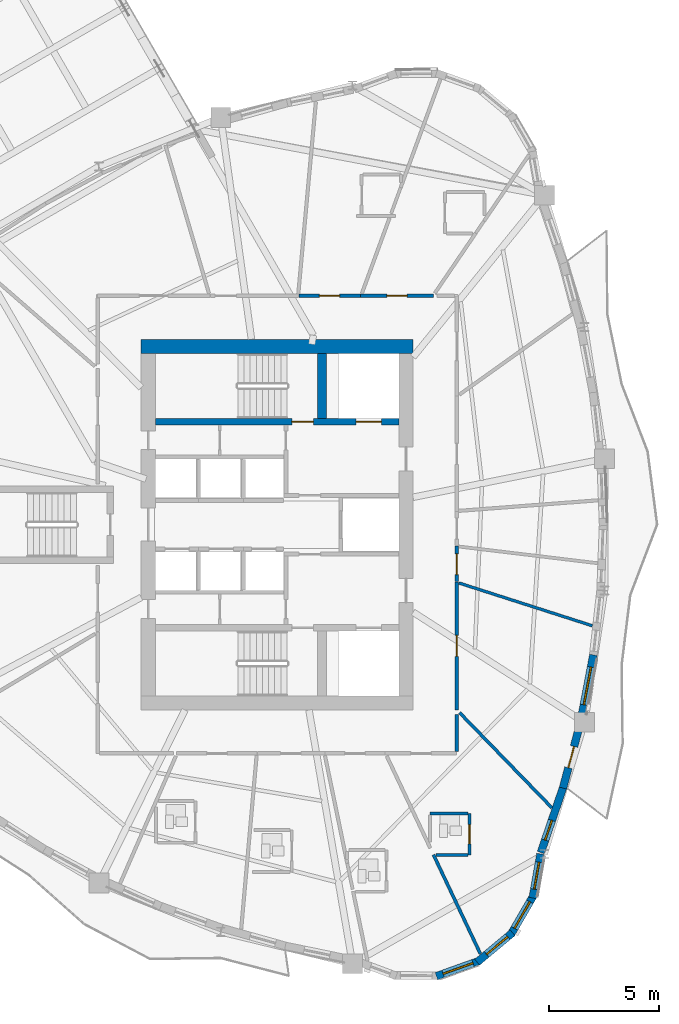
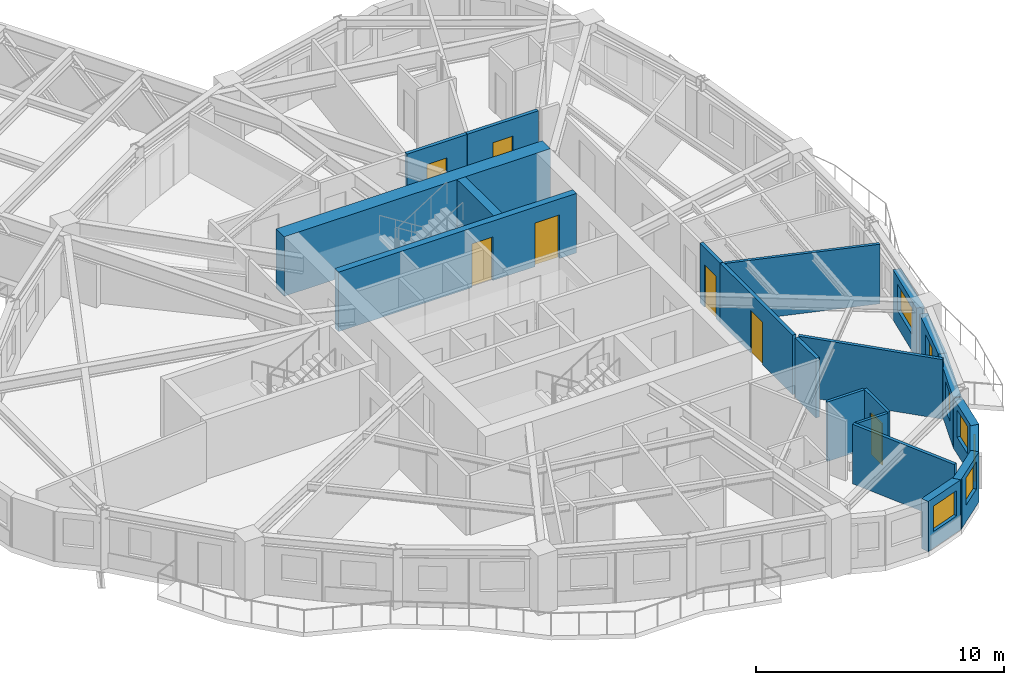
# One storey, part 9 of 16: 21 walls, 8 doors, 6 windows, 14 openings.
"""IFC4 building model written with IfcOpenShell, lengths in metres."""

from ifc_helpers import new_model, si_unit, direction, frame, frame_2d, origin, place, context, subcontext, project, spatial, rectangle, extrude, source, transform, mapped, material, layer, layer_set, type_object, element, fill, save


model = new_model("IFC4")

# Units and contexts
model_context = context("Model", 3, precision=1e-05, world=origin(), true_north=direction((0.0, 1.0)))
body_context = subcontext(model_context, "Body", "Model", "MODEL_VIEW")
ifc_project = project(units=[si_unit("LENGTHUNIT", "METRE"), si_unit("AREAUNIT", "SQUARE_METRE"), si_unit("VOLUMEUNIT", "CUBIC_METRE"), si_unit("PLANEANGLEUNIT", "RADIAN"), si_unit("MASSUNIT", "GRAM", prefix="KILO")], contexts=[model_context])

# Site, building, storey
site_placement = place(None, origin())
site = spatial("IfcSite", under=ifc_project, at=site_placement, CompositionType="ELEMENT")
building_placement = place(site_placement, origin())
building = spatial("IfcBuilding", under=site, at=building_placement, Name="Qafzar Sky-Pleat Residences", CompositionType="ELEMENT")
storey_placement = place(building_placement, frame((0.0, 0.0, 80.0)))
storey = spatial("IfcBuildingStorey", under=building, at=storey_placement, Name="L23", CompositionType="ELEMENT", Elevation=80.0)

# Wall, opening, door
ifc_material_1 = material(Name="Acoustic gypsum plasterboard partition", Category="gypsum")
ifc_layer_1 = layer(ifc_material_1, 0.159912109375)
ifc_layer_set_1 = layer_set([ifc_layer_1], Name="Acoustic gypsum plasterboard partition")
wall_type_1 = type_object("IfcWallType", Name="PART-COR-160", PredefinedType="PARTITIONING", material=ifc_layer_set_1)
wall_1_placement = place(storey_placement, frame((38.530029296875, 23.39208984375, 0.0), z_axis=(0.0, 0.0, 1.0), x_axis=(0.0, -1.0, 0.0)))
wall_1 = element("IfcWall", 1, at=wall_1_placement, inside=storey, type_object=wall_type_1, Name="L23 Partition Wall PART-L23-PW-002", PredefinedType="PARTITIONING", context=body_context, shape_type="SweptSolid", body=[
    extrude(rectangle(XDim=5.843017578125, YDim=0.159912109375, at=frame_2d((2.92138671875, 0.0))), origin(), (0.0, 0.0, 1.0), 2.93505859375),
])
opening_1_placement = place(wall_1_placement, frame((2.4384765625, 0.0, 0.0)))
opening_1 = element("IfcOpeningElement", 2, at=opening_1_placement, cuts=wall_1, Name="Opening ID-06", PredefinedType="OPENING", context=body_context, shape_type="SweptSolid", body=[
    extrude(rectangle(XDim=0.9599609375, YDim=2.10009765625, at=frame_2d((0.47998046875, 1.050048828125))), frame((0.0, 0.08984375, 0.0), z_axis=(0.0, -1.0, 0.0), x_axis=(1.0, 0.0, 0.0)), (0.0, 0.0, 1.0), 0.179931640625),
])
ifc_material_2 = material(Name="Timber-faced fire door", Category="wood")
door_type_1 = type_object("IfcDoorType", Name="DR-STD-960", OperationType="NOTDEFINED", PredefinedType="DOOR", material=ifc_material_2)
shared_shape_1 = source(origin(), body_context, "Body", "SweptSolid", [
    extrude(rectangle(XDim=0.9599609375, YDim=2.10009765625, at=frame_2d((0.47998046875, 1.050048828125))), frame((0.0, 0.02490234375, 0.0), z_axis=(0.0, -1.0, 0.0), x_axis=(1.0, 0.0, 0.0)), (0.0, 0.0, 1.0), 0.050048828125),
])
door_1_placement = place(opening_1_placement, origin())
door_1 = element("IfcDoor", 3, at=door_1_placement, inside=storey, type_object=door_type_1, Name="L23 Postdoctoral Admin Office Door", OperationType="SINGLE_SWING_RIGHT", OverallHeight=2.10009765625, OverallWidth=0.9599609375, PredefinedType="DOOR", context=body_context, shape_type="MappedRepresentation", body=[
    mapped(shared_shape_1, transform((0.0, 0.0, 0.0), x_axis=(1.0, 0.0, 0.0), y_axis=(0.0, 1.0, 0.0), z_axis=(0.0, 0.0, 1.0), scale=1.0)),
])
fill(opening_1, door_1)

wall_2_placement = place(storey_placement, frame((34.156005859375, 36.429931640625, 0.0), z_axis=(0.0, 0.0, 1.0), x_axis=(1.0, 0.0, 0.0)))
wall_2 = element("IfcWall", 4, at=wall_2_placement, inside=storey, type_object=wall_type_1, Name="L23 Partition Wall PART-L23-PW-010", PredefinedType="PARTITIONING", context=body_context, shape_type="SweptSolid", body=[
    extrude(rectangle(XDim=3.31591796875, YDim=0.159912109375, at=frame_2d((1.657958984375, 0.0))), origin(), (0.0, 0.0, 1.0), 2.93505859375),
])
opening_2_placement = place(wall_2_placement, frame((1.197021484375, 0.0, 0.0)))
opening_2 = element("IfcOpeningElement", 5, at=opening_2_placement, cuts=wall_2, Name="Opening ID-04", PredefinedType="OPENING", context=body_context, shape_type="SweptSolid", body=[
    extrude(rectangle(XDim=0.919921875, YDim=2.10009765625, at=frame_2d((0.4599609375, 1.050048828125))), frame((0.0, 0.08984375, 0.0), z_axis=(0.0, -1.0, 0.0), x_axis=(1.0, 0.0, 0.0)), (0.0, 0.0, 1.0), 0.179931640625),
])
door_type_2 = type_object("IfcDoorType", Name="DR-BED-920", OperationType="NOTDEFINED", PredefinedType="DOOR", material=ifc_material_2)
shared_shape_2 = source(origin(), body_context, "Body", "SweptSolid", [
    extrude(rectangle(XDim=0.919921875, YDim=2.10009765625, at=frame_2d((0.4599609375, 1.050048828125))), frame((0.0, 0.02490234375, 0.0), z_axis=(0.0, -1.0, 0.0), x_axis=(1.0, 0.0, 0.0)), (0.0, 0.0, 1.0), 0.050048828125),
])
door_2_placement = place(opening_2_placement, origin())
door_2 = element("IfcDoor", 6, at=door_2_placement, inside=storey, type_object=door_type_2, Name="L23 Co-Living Bedroom 5 Door", OperationType="SINGLE_SWING_LEFT", OverallHeight=2.10009765625, OverallWidth=0.919921875, PredefinedType="DOOR", context=body_context, shape_type="MappedRepresentation", body=[
    mapped(shared_shape_2, transform((0.0, 0.0, 0.0), x_axis=(1.0, 0.0, 0.0), y_axis=(0.0, 1.0, 0.0), z_axis=(0.0, 0.0, 1.0), scale=1.0)),
])
fill(opening_2, door_2)

wall_3_placement = place(storey_placement, frame((31.3349609375, 36.429931640625, 0.0), z_axis=(0.0, 0.0, 1.0), x_axis=(1.0, 0.0, 0.0)))
wall_3 = element("IfcWall", 7, at=wall_3_placement, inside=storey, type_object=wall_type_1, Name="L23 Partition Wall PART-L23-PW-015", PredefinedType="PARTITIONING", context=body_context, shape_type="SweptSolid", body=[
    extrude(rectangle(XDim=2.80615234375, YDim=0.159912109375, at=frame_2d((1.403076171875, 0.0))), origin(), (0.0, 0.0, 1.0), 2.93505859375),
])
opening_3_placement = place(wall_3_placement, frame((0.943603515625, 0.0, 0.0)))
opening_3 = element("IfcOpeningElement", 8, at=opening_3_placement, cuts=wall_3, Name="Opening ID-04", PredefinedType="OPENING", context=body_context, shape_type="SweptSolid", body=[
    extrude(rectangle(XDim=0.919921875, YDim=2.10009765625, at=frame_2d((0.4599609375, 1.050048828125))), frame((0.0, 0.08984375, 0.0), z_axis=(0.0, -1.0, 0.0), x_axis=(1.0, 0.0, 0.0)), (0.0, 0.0, 1.0), 0.179931640625),
])
door_3_placement = place(opening_3_placement, origin())
door_3 = element("IfcDoor", 9, at=door_3_placement, inside=storey, type_object=door_type_2, Name="L23 Co-Living Bedroom 6 Door", OperationType="SINGLE_SWING_LEFT", OverallHeight=2.10009765625, OverallWidth=0.919921875, PredefinedType="DOOR", context=body_context, shape_type="MappedRepresentation", body=[
    mapped(shared_shape_2, transform((0.0, 0.0, 0.0), x_axis=(1.0, 0.0, 0.0), y_axis=(0.0, 1.0, 0.0), z_axis=(0.0, 0.0, 1.0), scale=1.0)),
])
fill(opening_3, door_3)

wall_4_placement = place(storey_placement, frame((38.530029296875, 25.031982421875, 0.0), z_axis=(0.0, 0.0, 1.0), x_axis=(0.0, -1.0, 0.0)))
wall_4 = element("IfcWall", 10, at=wall_4_placement, inside=storey, type_object=wall_type_1, Name="L23 Partition Wall PART-L23-PW-023", PredefinedType="PARTITIONING", context=body_context, shape_type="SweptSolid", body=[
    extrude(rectangle(XDim=1.625, YDim=0.159912109375, at=frame_2d((0.8125, 0.0))), origin(), (0.0, 0.0, 1.0), 2.93505859375),
])
opening_4_placement = place(wall_4_placement, frame((0.360595703125, 0.0, 0.0)))
opening_4 = element("IfcOpeningElement", 11, at=opening_4_placement, cuts=wall_4, Name="Opening ID-08", PredefinedType="OPENING", context=body_context, shape_type="SweptSolid", body=[
    extrude(rectangle(XDim=0.949951171875, YDim=2.10009765625, at=frame_2d((0.47509765625, 1.050048828125))), frame((0.0, 0.08984375, 0.0), z_axis=(0.0, -1.0, 0.0), x_axis=(1.0, 0.0, 0.0)), (0.0, 0.0, 1.0), 0.179931640625),
])
door_type_3 = type_object("IfcDoorType", Name="DR-AWC-950", OperationType="NOTDEFINED", PredefinedType="DOOR", material=ifc_material_2)
shared_shape_3 = source(origin(), body_context, "Body", "SweptSolid", [
    extrude(rectangle(XDim=0.949951171875, YDim=2.10009765625, at=frame_2d((0.47509765625, 1.050048828125))), frame((0.0, 0.02490234375, 0.0), z_axis=(0.0, -1.0, 0.0), x_axis=(1.0, 0.0, 0.0)), (0.0, 0.0, 1.0), 0.050048828125),
])
door_4_placement = place(opening_4_placement, origin())
door_4 = element("IfcDoor", 12, at=door_4_placement, inside=storey, type_object=door_type_3, Name="L23 Accessible Shared Washroom Door", OperationType="SINGLE_SWING_LEFT", OverallHeight=2.10009765625, OverallWidth=0.949951171875, PredefinedType="DOOR", context=body_context, shape_type="MappedRepresentation", body=[
    mapped(shared_shape_3, transform((0.0, 0.0, 0.0), x_axis=(1.0, 0.0, 0.0), y_axis=(0.0, 1.0, 0.0), z_axis=(0.0, 0.0, 1.0), scale=1.0)),
])
fill(opening_4, door_4)

# Walls
wall_5_placement = place(storey_placement, frame((38.530029296875, 15.657958984375, 0.0), z_axis=(0.0, 0.0, 1.0), x_axis=(0.0, 1.0, 0.0)))
element("IfcWall", 13, at=wall_5_placement, inside=storey, type_object=wall_type_1, Name="L23 Partition Wall PART-L23-PW-049", PredefinedType="PARTITIONING", context=body_context, shape_type="SweptSolid", body=[
    extrude(rectangle(XDim=1.681640625, YDim=0.159912109375, at=frame_2d((0.8408203125, 0.0))), origin(), (0.0, 0.0, 1.0), 2.93505859375),
])
ifc_layer_2 = layer(ifc_material_1, 0.14501953125)
ifc_layer_set_2 = layer_set([ifc_layer_2], Name="Acoustic gypsum plasterboard partition")
wall_type_2 = type_object("IfcWallType", Name="PART-UNIT-145", PredefinedType="PARTITIONING", material=ifc_layer_set_2)
wall_6_placement = place(storey_placement, frame((38.66748046875, 17.42919921875, 0.0), z_axis=(0.0, 0.0, 1.0), x_axis=(0.696417222112, -0.717637131666, 0.0)))
element("IfcWall", 14, at=wall_6_placement, inside=storey, type_object=wall_type_2, Name="L23 Partition Wall PART-L23-PW-036", PredefinedType="PARTITIONING", context=body_context, shape_type="SweptSolid", body=[
    extrude(rectangle(XDim=6.040283203125, YDim=0.14501953125, at=frame_2d((3.02001953125, 0.0))), origin(), (0.0, 0.0, 1.0), 2.93505859375),
])
wall_7_placement = place(storey_placement, frame((37.47607421875, 10.9541015625, 0.0), z_axis=(0.0, 0.0, 1.0), x_axis=(0.428094746621, -0.903733859007, 0.0)))
element("IfcWall", 15, at=wall_7_placement, inside=storey, type_object=wall_type_2, Name="L23 Partition Wall PART-L23-PW-039", PredefinedType="PARTITIONING", context=body_context, shape_type="SweptSolid", body=[
    extrude(rectangle(XDim=4.996337890625, YDim=0.14501953125, at=frame_2d((2.498046875, 0.0))), origin(), (0.0, 0.0, 1.0), 2.93505859375),
])

# Wall, opening, door
ifc_material_3 = material(Name="Moisture-resistant gypsum partition", Category="gypsum")
ifc_layer_3 = layer(ifc_material_3, 0.1298828125)
ifc_layer_set_3 = layer_set([ifc_layer_3], Name="Moisture-resistant gypsum partition")
wall_type_3 = type_object("IfcWallType", Name="PART-WET-130", PredefinedType="PARTITIONING", material=ifc_layer_set_3)
wall_8_placement = place(storey_placement, frame((39.116943359375, 10.93896484375, 0.0), z_axis=(0.0, 0.0, 1.0), x_axis=(0.0, 1.0, 0.0)))
wall_8 = element("IfcWall", 16, at=wall_8_placement, inside=storey, type_object=wall_type_3, Name="L23 Partition Wall PART-L23-PW-020", PredefinedType="PARTITIONING", context=body_context, shape_type="SweptSolid", body=[
    extrude(rectangle(XDim=1.900146484375, YDim=0.1298828125, at=frame_2d((0.9501953125, 0.0))), origin(), (0.0, 0.0, 1.0), 2.93505859375),
])
opening_5_placement = place(wall_8_placement, frame((0.510009765625, 0.0, 0.0)))
opening_5 = element("IfcOpeningElement", 17, at=opening_5_placement, cuts=wall_8, Name="Opening ID-07", PredefinedType="OPENING", context=body_context, shape_type="SweptSolid", body=[
    extrude(rectangle(XDim=0.8798828125, YDim=2.050048828125, at=frame_2d((0.43994140625, 1.02490234375))), frame((0.0, 0.074951171875, 0.0), z_axis=(0.0, -1.0, 0.0), x_axis=(1.0, 0.0, 0.0)), (0.0, 0.0, 1.0), 0.14990234375),
])
door_type_4 = type_object("IfcDoorType", Name="DR-WET-880", OperationType="NOTDEFINED", PredefinedType="DOOR", material=ifc_material_2)
shared_shape_4 = source(origin(), body_context, "Body", "SweptSolid", [
    extrude(rectangle(XDim=0.8798828125, YDim=2.050048828125, at=frame_2d((0.43994140625, 1.02490234375))), frame((0.0, 0.02490234375, 0.0), z_axis=(0.0, -1.0, 0.0), x_axis=(1.0, 0.0, 0.0)), (0.0, 0.0, 1.0), 0.050048828125),
])
door_5_placement = place(opening_5_placement, origin())
door_5 = element("IfcDoor", 18, at=door_5_placement, inside=storey, type_object=door_type_4, Name="L23 En-suite Bathroom 4 Door", OperationType="SINGLE_SWING_RIGHT", OverallHeight=2.050048828125, OverallWidth=0.8798828125, PredefinedType="DOOR", context=body_context, shape_type="MappedRepresentation", body=[
    mapped(shared_shape_4, transform((0.0, 0.0, 0.0), x_axis=(1.0, 0.0, 0.0), y_axis=(0.0, 1.0, 0.0), z_axis=(0.0, 0.0, 1.0), scale=1.0)),
])
fill(opening_5, door_5)

# Walls
wall_9_placement = place(storey_placement, frame((38.637451171875, 23.341552734375, 0.0), z_axis=(0.0, 0.0, 1.0), x_axis=(0.952253923936, -0.305307163933, 0.0)))
element("IfcWall", 19, at=wall_9_placement, inside=storey, type_object=wall_type_3, Name="L23 Partition Wall PART-L23-PW-031", PredefinedType="PARTITIONING", context=body_context, shape_type="SweptSolid", body=[
    extrude(rectangle(XDim=6.383544921875, YDim=0.1298828125, at=frame_2d((3.19189453125, 0.0))), origin(), (0.0, 0.0, 1.0), 2.93505859375),
])
wall_10_placement = place(storey_placement, frame((37.31689453125, 12.839111328125, 0.0), z_axis=(0.0, 0.0, 1.0), x_axis=(1.0, 0.0, 0.0)))
element("IfcWall", 20, at=wall_10_placement, inside=storey, type_object=wall_type_3, Name="L23 Partition Wall PART-L23-PW-055", PredefinedType="PARTITIONING", context=body_context, shape_type="SweptSolid", body=[
    extrude(rectangle(XDim=1.72705078125, YDim=0.1298828125, at=frame_2d((0.863525390625, 0.0))), origin(), (0.0, 0.0, 1.0), 2.93505859375),
])
wall_11_placement = place(storey_placement, frame((37.60205078125, 10.93896484375, 0.0), z_axis=(0.0, 0.0, 1.0), x_axis=(1.0, 0.0, 0.0)))
element("IfcWall", 21, at=wall_11_placement, inside=storey, type_object=wall_type_3, Name="L23 Partition Wall PART-L23-PW-059", PredefinedType="PARTITIONING", context=body_context, shape_type="SweptSolid", body=[
    extrude(rectangle(XDim=1.44189453125, YDim=0.1298828125, at=frame_2d((0.720947265625, 0.0))), origin(), (0.0, 0.0, 1.0), 2.93505859375),
])

# Wall, opening, window
ifc_material_4 = material(Name="Precast concrete C40/50 with honed Riyadh limestone", Category="concrete")
ifc_layer_4 = layer(ifc_material_4, 0.35009765625)
ifc_layer_set_4 = layer_set([ifc_layer_4], Name="Precast concrete C40/50 with honed Riyadh limestone")
wall_type_4 = type_object("IfcWallType", Name="WALL-EXT-350", PredefinedType="SOLIDWALL", material=ifc_layer_set_4)
wall_12_placement = place(storey_placement, frame((37.6103515625, 5.4150390625, 0.0), z_axis=(0.0, 0.0, 1.0), x_axis=(0.941473186867, 0.33708787936, 0.0)))
wall_12 = element("IfcWall", 22, at=wall_12_placement, inside=storey, type_object=wall_type_4, Name="L23 Limestone Facade Wall 19", PredefinedType="SOLIDWALL", context=body_context, shape_type="SweptSolid", body=[
    extrude(rectangle(XDim=2.098876953125, YDim=0.35009765625, at=frame_2d((1.04931640625, 0.0))), origin(), (0.0, 0.0, 1.0), 2.465087890625),
])
opening_6_placement = place(wall_12_placement, frame((0.324462890625, 0.0, 0.820068359375)))
opening_6 = element("IfcOpeningElement", 23, at=opening_6_placement, cuts=wall_12, Name="Opening WN-15", PredefinedType="OPENING", context=body_context, shape_type="SweptSolid", body=[
    extrude(rectangle(XDim=1.449951171875, YDim=1.25, at=frame_2d((0.72509765625, 0.625))), frame((0.0, 0.18505859375, 0.0), z_axis=(0.0, -1.0, 0.0), x_axis=(1.0, 0.0, 0.0)), (0.0, 0.0, 1.0), 0.3701171875),
])
ifc_material_5 = material(Name="Solar-control low-E glass in bronze aluminium frame", Category="glass")
window_type_1 = type_object("IfcWindowType", Name="WIN-15", PartitioningType="SINGLE_PANEL", PredefinedType="WINDOW", material=ifc_material_5)
shared_shape_5 = source(origin(), body_context, "Body", "SweptSolid", [
    extrude(rectangle(XDim=1.449951171875, YDim=1.25, at=frame_2d((0.72509765625, 0.625))), frame((0.0, 0.030029296875, 0.0), z_axis=(0.0, -1.0, 0.0), x_axis=(1.0, 0.0, 0.0)), (0.0, 0.0, 1.0), 0.06005859375),
])
window_1_placement = place(opening_6_placement, origin())
window_1 = element("IfcWindow", 24, at=window_1_placement, inside=storey, type_object=window_type_1, Name="L23 Punched Facade Window 19", OverallHeight=1.25, OverallWidth=1.449951171875, PartitioningType="SINGLE_PANEL", PredefinedType="WINDOW", context=body_context, shape_type="MappedRepresentation", body=[
    mapped(shared_shape_5, transform((0.0, 0.0, 0.0), x_axis=(1.0, 0.0, 0.0), y_axis=(0.0, 1.0, 0.0), z_axis=(0.0, 0.0, 1.0), scale=1.0)),
])
fill(opening_6, window_1)

wall_13_placement = place(storey_placement, frame((39.468505859375, 6.05517578125, 0.0), z_axis=(0.0, 0.0, 1.0), x_axis=(0.768497696041, 0.639852554249, 0.0)))
wall_13 = element("IfcWall", 25, at=wall_13_placement, inside=storey, type_object=wall_type_4, Name="L23 Limestone Facade Wall 20", PredefinedType="SOLIDWALL", context=body_context, shape_type="SweptSolid", body=[
    extrude(rectangle(XDim=2.098876953125, YDim=0.35009765625, at=frame_2d((1.04931640625, 0.0))), origin(), (0.0, 0.0, 1.0), 2.465087890625),
])
opening_7_placement = place(wall_13_placement, frame((0.558837890625, 0.0, 0.820068359375)))
opening_7 = element("IfcOpeningElement", 26, at=opening_7_placement, cuts=wall_13, Name="Opening WN-11", PredefinedType="OPENING", context=body_context, shape_type="SweptSolid", body=[
    extrude(rectangle(XDim=1.25, YDim=1.35009765625, at=frame_2d((0.625, 0.675048828125))), frame((0.0, 0.18505859375, 0.0), z_axis=(0.0, -1.0, 0.0), x_axis=(1.0, 0.0, 0.0)), (0.0, 0.0, 1.0), 0.3701171875),
])
window_type_2 = type_object("IfcWindowType", Name="WIN-11", PartitioningType="SINGLE_PANEL", PredefinedType="WINDOW", material=ifc_material_5)
shared_shape_6 = source(origin(), body_context, "Body", "SweptSolid", [
    extrude(rectangle(XDim=1.25, YDim=1.35009765625, at=frame_2d((0.625, 0.675048828125))), frame((0.0, 0.030029296875, 0.0), z_axis=(0.0, -1.0, 0.0), x_axis=(1.0, 0.0, 0.0)), (0.0, 0.0, 1.0), 0.06005859375),
])
window_2_placement = place(opening_7_placement, origin())
window_2 = element("IfcWindow", 27, at=window_2_placement, inside=storey, type_object=window_type_2, Name="L23 Punched Facade Window 20", OverallHeight=1.35009765625, OverallWidth=1.25, PartitioningType="SINGLE_PANEL", PredefinedType="WINDOW", context=body_context, shape_type="MappedRepresentation", body=[
    mapped(shared_shape_6, transform((0.0, 0.0, 0.0), x_axis=(1.0, 0.0, 0.0), y_axis=(0.0, 1.0, 0.0), z_axis=(0.0, 0.0, 1.0), scale=1.0)),
])
fill(opening_7, window_2)

wall_14_placement = place(storey_placement, frame((40.993896484375, 7.29443359375, 0.0), z_axis=(0.0, 0.0, 1.0), x_axis=(0.501902596059, 0.864924149315, 0.0)))
wall_14 = element("IfcWall", 28, at=wall_14_placement, inside=storey, type_object=wall_type_4, Name="L23 Limestone Facade Wall 21", PredefinedType="SOLIDWALL", context=body_context, shape_type="SweptSolid", body=[
    extrude(rectangle(XDim=2.098876953125, YDim=0.35009765625, at=frame_2d((1.04931640625, 0.0))), origin(), (0.0, 0.0, 1.0), 2.465087890625),
])
opening_8_placement = place(wall_14_placement, frame((0.349609375, 0.0, 0.820068359375)))
opening_8 = element("IfcOpeningElement", 29, at=opening_8_placement, cuts=wall_14, Name="Opening WN-10", PredefinedType="OPENING", context=body_context, shape_type="SweptSolid", body=[
    extrude(rectangle(XDim=1.39990234375, YDim=1.35009765625, at=frame_2d((0.699951171875, 0.675048828125))), frame((0.0, 0.18505859375, 0.0), z_axis=(0.0, -1.0, 0.0), x_axis=(1.0, 0.0, 0.0)), (0.0, 0.0, 1.0), 0.3701171875),
])
window_type_3 = type_object("IfcWindowType", Name="WIN-10", PartitioningType="SINGLE_PANEL", PredefinedType="WINDOW", material=ifc_material_5)
shared_shape_7 = source(origin(), body_context, "Body", "SweptSolid", [
    extrude(rectangle(XDim=1.39990234375, YDim=1.35009765625, at=frame_2d((0.699951171875, 0.675048828125))), frame((0.0, 0.030029296875, 0.0), z_axis=(0.0, -1.0, 0.0), x_axis=(1.0, 0.0, 0.0)), (0.0, 0.0, 1.0), 0.06005859375),
])
window_3_placement = place(opening_8_placement, origin())
window_3 = element("IfcWindow", 30, at=window_3_placement, inside=storey, type_object=window_type_3, Name="L23 Punched Facade Window 21", OverallHeight=1.35009765625, OverallWidth=1.39990234375, PartitioningType="SINGLE_PANEL", PredefinedType="WINDOW", context=body_context, shape_type="MappedRepresentation", body=[
    mapped(shared_shape_7, transform((0.0, 0.0, 0.0), x_axis=(1.0, 0.0, 0.0), y_axis=(0.0, 1.0, 0.0), z_axis=(0.0, 0.0, 1.0), scale=1.0)),
])
fill(opening_8, window_3)

wall_15_placement = place(storey_placement, frame((42.000732421875, 8.982177734375, 0.0), z_axis=(0.0, 0.0, 1.0), x_axis=(0.174419977077, 0.984671352075, 0.0)))
wall_15 = element("IfcWall", 31, at=wall_15_placement, inside=storey, type_object=wall_type_4, Name="L23 Limestone Facade Wall 22", PredefinedType="SOLIDWALL", context=body_context, shape_type="SweptSolid", body=[
    extrude(rectangle(XDim=2.040771484375, YDim=0.35009765625, at=frame_2d((1.0205078125, 0.0))), origin(), (0.0, 0.0, 1.0), 2.465087890625),
])
opening_9_placement = place(wall_15_placement, frame((0.405517578125, 0.0, 0.820068359375)))
opening_9 = element("IfcOpeningElement", 32, at=opening_9_placement, cuts=wall_15, Name="Opening WN-11", PredefinedType="OPENING", context=body_context, shape_type="SweptSolid", body=[
    extrude(rectangle(XDim=1.25, YDim=1.35009765625, at=frame_2d((0.625, 0.675048828125))), frame((0.0, 0.18505859375, 0.0), z_axis=(0.0, -1.0, 0.0), x_axis=(1.0, 0.0, 0.0)), (0.0, 0.0, 1.0), 0.3701171875),
])
window_4_placement = place(opening_9_placement, origin())
window_4 = element("IfcWindow", 33, at=window_4_placement, inside=storey, type_object=window_type_2, Name="L23 Punched Facade Window 22", OverallHeight=1.35009765625, OverallWidth=1.25, PartitioningType="SINGLE_PANEL", PredefinedType="WINDOW", context=body_context, shape_type="MappedRepresentation", body=[
    mapped(shared_shape_6, transform((0.0, 0.0, 0.0), x_axis=(1.0, 0.0, 0.0), y_axis=(0.0, 1.0, 0.0), z_axis=(0.0, 0.0, 1.0), scale=1.0)),
])
fill(opening_9, window_4)

wall_16_placement = place(storey_placement, frame((42.373291015625, 11.056640625, 0.0), z_axis=(0.0, 0.0, 1.0), x_axis=(0.323628226775, 0.946184321808, 0.0)))
wall_16 = element("IfcWall", 34, at=wall_16_placement, inside=storey, type_object=wall_type_4, Name="L23 Limestone Facade Wall 23", PredefinedType="SOLIDWALL", context=body_context, shape_type="SweptSolid", body=[
    extrude(rectangle(XDim=3.192626953125, YDim=0.35009765625, at=frame_2d((1.59619140625, 0.0))), origin(), (0.0, 0.0, 1.0), 2.465087890625),
])
opening_10_placement = place(wall_16_placement, frame((0.5947265625, 0.0, 0.820068359375)))
opening_10 = element("IfcOpeningElement", 35, at=opening_10_placement, cuts=wall_16, Name="Opening WN-12", PredefinedType="OPENING", context=body_context, shape_type="SweptSolid", body=[
    extrude(rectangle(XDim=0.949951171875, YDim=1.35009765625, at=frame_2d((0.47509765625, 0.675048828125))), frame((0.0, 0.18505859375, 0.0), z_axis=(0.0, -1.0, 0.0), x_axis=(1.0, 0.0, 0.0)), (0.0, 0.0, 1.0), 0.3701171875),
])
window_type_4 = type_object("IfcWindowType", Name="WIN-12", PartitioningType="SINGLE_PANEL", PredefinedType="WINDOW", material=ifc_material_5)
shared_shape_8 = source(origin(), body_context, "Body", "SweptSolid", [
    extrude(rectangle(XDim=0.949951171875, YDim=1.35009765625, at=frame_2d((0.47509765625, 0.675048828125))), frame((0.0, 0.030029296875, 0.0), z_axis=(0.0, -1.0, 0.0), x_axis=(1.0, 0.0, 0.0)), (0.0, 0.0, 1.0), 0.06005859375),
])
window_5_placement = place(opening_10_placement, origin())
window_5 = element("IfcWindow", 36, at=window_5_placement, inside=storey, type_object=window_type_4, Name="L23 Punched Facade Window 23", OverallHeight=1.35009765625, OverallWidth=0.949951171875, PartitioningType="SINGLE_PANEL", PredefinedType="WINDOW", context=body_context, shape_type="MappedRepresentation", body=[
    mapped(shared_shape_8, transform((0.0, 0.0, 0.0), x_axis=(1.0, 0.0, 0.0), y_axis=(0.0, 1.0, 0.0), z_axis=(0.0, 0.0, 1.0), scale=1.0)),
])
fill(opening_10, window_5)

# Wall, opening, door
wall_17_placement = place(storey_placement, frame((43.380859375, 13.9931640625, 0.0), z_axis=(0.0, 0.0, 1.0), x_axis=(0.257079998736, 0.966390125286, 0.0)))
wall_17 = element("IfcWall", 37, at=wall_17_placement, inside=storey, type_object=wall_type_4, Name="L23 Limestone Facade Wall 24", PredefinedType="SOLIDWALL", context=body_context, shape_type="SweptSolid", body=[
    extrude(rectangle(XDim=2.921142578125, YDim=0.35009765625, at=frame_2d((1.46044921875, 0.0))), origin(), (0.0, 0.0, 1.0), 2.465087890625),
])
opening_11_placement = place(wall_17_placement, frame((0.960693359375, 0.0, 0.0)))
opening_11 = element("IfcOpeningElement", 38, at=opening_11_placement, cuts=wall_17, Name="Opening ED-05", PredefinedType="OPENING", context=body_context, shape_type="SweptSolid", body=[
    extrude(rectangle(XDim=1.0, YDim=2.10009765625, at=frame_2d((0.5, 1.050048828125))), frame((0.0, 0.18505859375, 0.0), z_axis=(0.0, -1.0, 0.0), x_axis=(1.0, 0.0, 0.0)), (0.0, 0.0, 1.0), 0.3701171875),
])
ifc_material_6 = material(Name="Glazed bronze aluminium door", Category="aluminium")
door_type_5 = type_object("IfcDoorType", Name="DR-BAL-1000", OperationType="NOTDEFINED", PredefinedType="DOOR", material=ifc_material_6)
shared_shape_9 = source(origin(), body_context, "Body", "SweptSolid", [
    extrude(rectangle(XDim=1.0, YDim=2.10009765625, at=frame_2d((0.5, 1.050048828125))), frame((0.0, 0.02490234375, 0.0), z_axis=(0.0, -1.0, 0.0), x_axis=(1.0, 0.0, 0.0)), (0.0, 0.0, 1.0), 0.050048828125),
])
door_6_placement = place(opening_11_placement, origin())
door_6 = element("IfcDoor", 39, at=door_6_placement, inside=storey, type_object=door_type_5, Name="L23 Glazed Balcony Door 1", OperationType="SINGLE_SWING_LEFT", OverallHeight=2.10009765625, OverallWidth=1.0, PredefinedType="DOOR", context=body_context, shape_type="MappedRepresentation", body=[
    mapped(shared_shape_9, transform((0.0, 0.0, 0.0), x_axis=(1.0, 0.0, 0.0), y_axis=(0.0, 1.0, 0.0), z_axis=(0.0, 0.0, 1.0), scale=1.0)),
])
fill(opening_11, door_6)

# Wall, opening, window
wall_18_placement = place(storey_placement, frame((44.22900390625, 17.2421875, 0.0), z_axis=(0.0, 0.0, 1.0), x_axis=(0.186588413417, 0.982438173107, 0.0)))
wall_18 = element("IfcWall", 40, at=wall_18_placement, inside=storey, type_object=wall_type_4, Name="L23 Limestone Facade Wall 25", PredefinedType="SOLIDWALL", context=body_context, shape_type="SweptSolid", body=[
    extrude(rectangle(XDim=2.870849609375, YDim=0.35009765625, at=frame_2d((1.435546875, 0.0))), origin(), (0.0, 0.0, 1.0), 2.465087890625),
])
opening_12_placement = place(wall_18_placement, frame((0.555419921875, 0.0, 0.820068359375)))
opening_12 = element("IfcOpeningElement", 41, at=opening_12_placement, cuts=wall_18, Name="Opening WN-14", PredefinedType="OPENING", context=body_context, shape_type="SweptSolid", body=[
    extrude(rectangle(XDim=1.75, YDim=1.300048828125, at=frame_2d((0.875, 0.64990234375))), frame((0.0, 0.18505859375, 0.0), z_axis=(0.0, -1.0, 0.0), x_axis=(1.0, 0.0, 0.0)), (0.0, 0.0, 1.0), 0.3701171875),
])
window_type_5 = type_object("IfcWindowType", Name="WIN-14", PartitioningType="DOUBLE_PANEL_VERTICAL", PredefinedType="WINDOW", material=ifc_material_5)
shared_shape_10 = source(origin(), body_context, "Body", "SweptSolid", [
    extrude(rectangle(XDim=1.75, YDim=1.300048828125, at=frame_2d((0.875, 0.64990234375))), frame((0.0, 0.030029296875, 0.0), z_axis=(0.0, -1.0, 0.0), x_axis=(1.0, 0.0, 0.0)), (0.0, 0.0, 1.0), 0.06005859375),
])
window_6_placement = place(opening_12_placement, origin())
window_6 = element("IfcWindow", 42, at=window_6_placement, inside=storey, type_object=window_type_5, Name="L23 Punched Facade Window 25", OverallHeight=1.300048828125, OverallWidth=1.75, PartitioningType="SINGLE_PANEL", PredefinedType="WINDOW", context=body_context, shape_type="MappedRepresentation", body=[
    mapped(shared_shape_10, transform((0.0, 0.0, 0.0), x_axis=(1.0, 0.0, 0.0), y_axis=(0.0, 1.0, 0.0), z_axis=(0.0, 0.0, 1.0), scale=1.0)),
])
fill(opening_12, window_6)

# Wall, openings, doors
ifc_material_7 = material(Name="Concrete C60/75", Category="concrete")
ifc_layer_5 = layer(ifc_material_7, 0.300048828125)
ifc_layer_set_5 = layer_set([ifc_layer_5], Name="Concrete C60/75")
wall_type_5 = type_object("IfcWallType", Name="WALL-SHEAR-300", PredefinedType="SHEAR", material=ifc_layer_set_5)
wall_19_placement = place(storey_placement, frame((24.800048828125, 30.699951171875, 0.0), z_axis=(0.0, 0.0, 1.0), x_axis=(1.0, 0.0, 0.0)))
wall_19 = element("IfcWall", 43, at=wall_19_placement, inside=storey, type_object=wall_type_5, Name="L23 Stair ST2 and FF2 Shaft South Wall", PredefinedType="SHEAR", context=body_context, shape_type="SweptSolid", body=[
    extrude(rectangle(XDim=11.099853515625, YDim=0.300048828125, at=frame_2d((5.5498046875, 0.0))), origin(), (0.0, 0.0, 1.0), 2.93505859375),
])
opening_13_placement = place(wall_19_placement, frame((6.219970703125, 0.0, 0.0)))
opening_13 = element("IfcOpeningElement", 44, at=opening_13_placement, cuts=wall_19, Name="Opening ID-01", PredefinedType="OPENING", context=body_context, shape_type="SweptSolid", body=[
    extrude(rectangle(XDim=0.97998046875, YDim=2.14990234375, at=frame_2d((0.489990234375, 1.074951171875))), frame((0.0, 0.16015625, 0.0), z_axis=(0.0, -1.0, 0.0), x_axis=(1.0, 0.0, 0.0)), (0.0, 0.0, 1.0), 0.320068359375),
])
opening_14_placement = place(wall_19_placement, frame((9.14990234375, 0.0, 0.0)))
opening_14 = element("IfcOpeningElement", 45, at=opening_14_placement, cuts=wall_19, Name="Opening LD-02", PredefinedType="OPENING", context=body_context, shape_type="SweptSolid", body=[
    extrude(rectangle(XDim=1.14990234375, YDim=2.14990234375, at=frame_2d((0.574951171875, 1.074951171875))), frame((0.0, 0.16015625, 0.0), z_axis=(0.0, -1.0, 0.0), x_axis=(1.0, 0.0, 0.0)), (0.0, 0.0, 1.0), 0.320068359375),
])
door_type_6 = type_object("IfcDoorType", Name="DR-STAIR-980", OperationType="NOTDEFINED", PredefinedType="DOOR", material=ifc_material_2)
shared_shape_11 = source(origin(), body_context, "Body", "SweptSolid", [
    extrude(rectangle(XDim=0.97998046875, YDim=2.14990234375, at=frame_2d((0.489990234375, 1.074951171875))), frame((0.0, 0.02490234375, 0.0), z_axis=(0.0, -1.0, 0.0), x_axis=(1.0, 0.0, 0.0)), (0.0, 0.0, 1.0), 0.050048828125),
])
door_7_placement = place(opening_13_placement, origin())
door_7 = element("IfcDoor", 46, at=door_7_placement, inside=storey, type_object=door_type_6, Name="L23 Stair ST2 Fire Door", OperationType="SINGLE_SWING_RIGHT", OverallHeight=2.14990234375, OverallWidth=0.97998046875, PredefinedType="DOOR", context=body_context, shape_type="MappedRepresentation", body=[
    mapped(shared_shape_11, transform((0.0, 0.0, 0.0), x_axis=(1.0, 0.0, 0.0), y_axis=(0.0, 1.0, 0.0), z_axis=(0.0, 0.0, 1.0), scale=1.0)),
])
fill(opening_13, door_7)
ifc_material_8 = material(Name="Stainless steel sliding landing door", Category="steel")
door_type_7 = type_object("IfcDoorType", Name="DR-LIFT-FF", OperationType="DOUBLE_DOOR_SLIDING", PredefinedType="DOOR", material=ifc_material_8)
shared_shape_12 = source(origin(), body_context, "Body", "SweptSolid", [
    extrude(rectangle(XDim=1.14990234375, YDim=2.14990234375, at=frame_2d((0.574951171875, 1.074951171875))), frame((0.0, 0.02490234375, 0.0), z_axis=(0.0, -1.0, 0.0), x_axis=(1.0, 0.0, 0.0)), (0.0, 0.0, 1.0), 0.050048828125),
])
door_8_placement = place(opening_14_placement, origin())
door_8 = element("IfcDoor", 47, at=door_8_placement, inside=storey, type_object=door_type_7, Name="L23 Firefighting Lift FF2 Landing Door", OperationType="DOUBLE_DOOR_SLIDING", OverallHeight=2.14990234375, OverallWidth=1.14990234375, PredefinedType="DOOR", context=body_context, shape_type="MappedRepresentation", body=[
    mapped(shared_shape_12, transform((0.0, 0.0, 0.0), x_axis=(1.0, 0.0, 0.0), y_axis=(0.0, 1.0, 0.0), z_axis=(0.0, 0.0, 1.0), scale=1.0)),
])
fill(opening_14, door_8)

# Walls
ifc_layer_6 = layer(ifc_material_7, 0.39990234375)
ifc_layer_set_6 = layer_set([ifc_layer_6], Name="Concrete C60/75")
wall_type_6 = type_object("IfcWallType", Name="WALL-SHEAR-400", PredefinedType="SHEAR", material=ifc_layer_set_6)
wall_20_placement = place(storey_placement, frame((32.39990234375, 30.85009765625, 0.0), z_axis=(0.0, 0.0, 1.0), x_axis=(0.0, 1.0, 0.0)))
element("IfcWall", 48, at=wall_20_placement, inside=storey, type_object=wall_type_6, Name="L23 Stair ST2 East Dividing Wall", PredefinedType="SHEAR", context=body_context, shape_type="SweptSolid", body=[
    extrude(rectangle(XDim=2.949951171875, YDim=0.39990234375, at=frame_2d((1.47509765625, 0.0))), origin(), (0.0, 0.0, 1.0), 2.93505859375),
])
ifc_layer_7 = layer(ifc_material_7, 0.64990234375)
ifc_layer_set_7 = layer_set([ifc_layer_7], Name="Concrete C60/75")
wall_type_7 = type_object("IfcWallType", Name="WALL-SHEAR-650", PredefinedType="SHEAR", material=ifc_layer_set_7)
wall_21_placement = place(storey_placement, frame((36.550048828125, 34.125, 0.0), z_axis=(0.0, 0.0, 1.0), x_axis=(-1.0, 0.0, 0.0)))
element("IfcWall", 49, at=wall_21_placement, inside=storey, type_object=wall_type_7, Name="L23 CORE wall N", PredefinedType="SHEAR", context=body_context, shape_type="SweptSolid", body=[
    extrude(rectangle(XDim=12.400146484375, YDim=0.64990234375, at=frame_2d((6.2001953125, 0.0))), origin(), (0.0, 0.0, 1.0), 2.93505859375),
])

save(model, "model.ifc")
